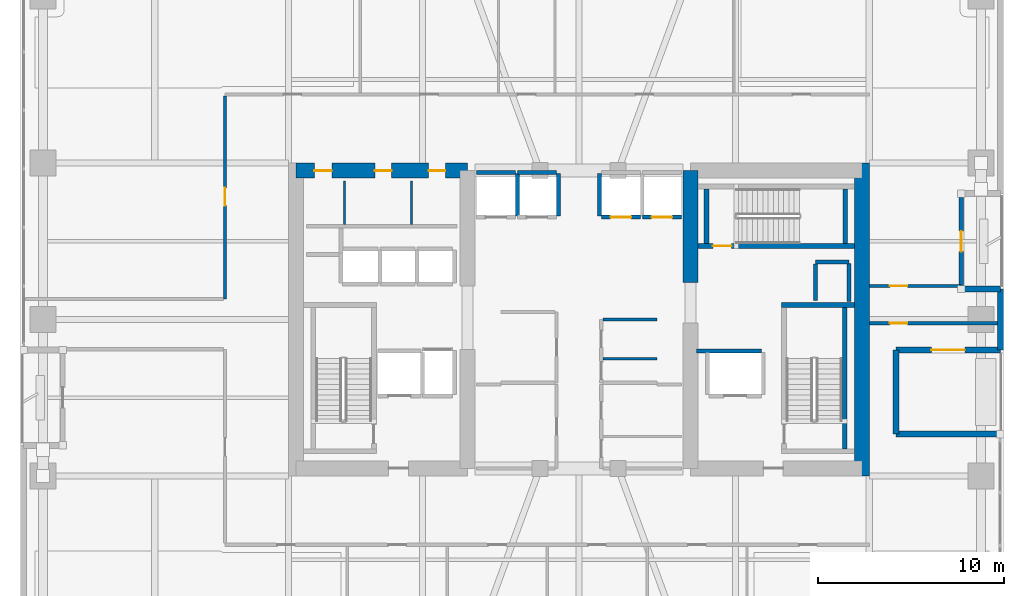
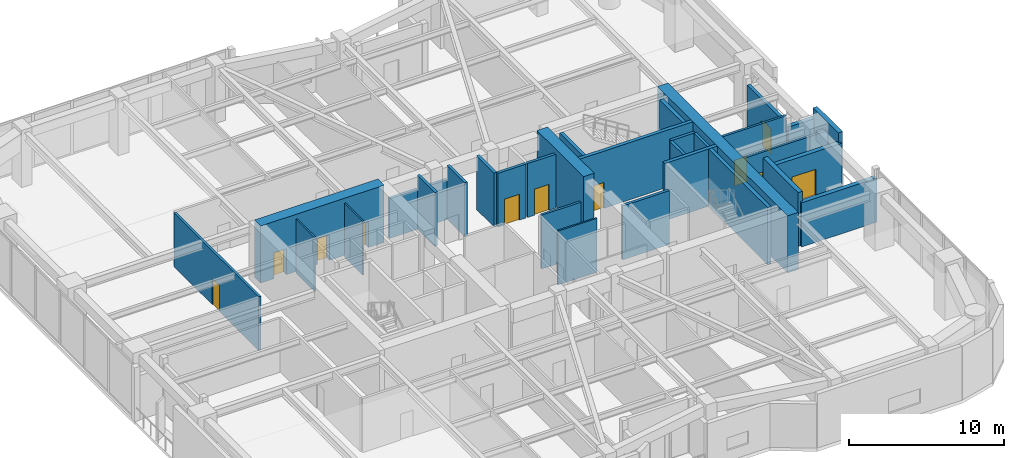
# One storey, part 16 of 20: 32 walls, 11 doors, 11 openings.
"""IFC4 building model written with IfcOpenShell, lengths in metres."""

from ifc_helpers import new_model, si_unit, direction, frame, frame_2d, origin, place, context, subcontext, project, spatial, rectangle, extrude, material, layer, layer_set, type_object, element, fill, save


model = new_model("IFC4")

# Units and contexts
model_context = context("Model", 3, precision=1e-05, world=origin(), true_north=direction((0.0, 1.0)))
body_context = subcontext(model_context, "Body", "Model", "MODEL_VIEW")
ifc_project = project(units=[si_unit("LENGTHUNIT", "METRE"), si_unit("AREAUNIT", "SQUARE_METRE"), si_unit("VOLUMEUNIT", "CUBIC_METRE"), si_unit("PLANEANGLEUNIT", "RADIAN"), si_unit("MASSUNIT", "GRAM", prefix="KILO")], contexts=[model_context])

# Site, building, storey
site_placement = place(None, origin())
site = spatial("IfcSite", under=ifc_project, at=site_placement, CompositionType="ELEMENT")
building_placement = place(site_placement, origin())
building = spatial("IfcBuilding", under=site, at=building_placement, Name="Kiyonajd Concourse Tower", CompositionType="ELEMENT")
storey_placement = place(building_placement, frame((0.0, 0.0, 125.39990234375)))
storey = spatial("IfcBuildingStorey", under=building, at=storey_placement, Name="L32", CompositionType="ELEMENT", Elevation=125.39990234375)

# Wall, openings, doors
ifc_material_1 = material(Name="Concrete C70/85", Category="concrete")
ifc_layer_1 = layer(ifc_material_1, 0.800048828125)
ifc_layer_set_1 = layer_set([ifc_layer_1], Name="Concrete C70/85")
wall_type_1 = type_object("IfcWallType", Name="WL-CORE-800", PredefinedType="SHEAR", material=ifc_layer_set_1)
wall_1_placement = place(storey_placement, frame((32.800048828125, 44.0, 0.0), z_axis=(0.0, 0.0, 1.0), x_axis=(1.0, 0.0, 0.0)))
wall_1 = element("IfcWall", 1, at=wall_1_placement, inside=storey, type_object=wall_type_1, Name="L32 West Core North Shear Wall", PredefinedType="SHEAR", context=body_context, shape_type="SweptSolid", body=[
    extrude(rectangle(XDim=9.199951171875, YDim=0.800048828125, at=frame_2d((4.60009765625, 0.0))), origin(), (0.0, 0.0, 1.0), 4.5),
])
opening_1_placement = place(wall_1_placement, frame((0.97509765625, 0.0, 0.0)))
opening_1 = element("IfcOpeningElement", 2, at=opening_1_placement, cuts=wall_1, Name="Opening DI1", PredefinedType="OPENING", context=body_context, shape_type="SweptSolid", body=[
    extrude(rectangle(XDim=0.949951171875, YDim=2.0400390625, at=frame_2d((0.47509765625, 1.02001953125))), frame((0.0, 0.409912109375, 0.0), z_axis=(0.0, -1.0, 0.0), x_axis=(1.0, 0.0, 0.0)), (0.0, 0.0, 1.0), 0.820068359375),
])
opening_2_placement = place(wall_1_placement, frame((4.22509765625, 0.0, 0.0)))
opening_2 = element("IfcOpeningElement", 3, at=opening_2_placement, cuts=wall_1, Name="Opening DI2", PredefinedType="OPENING", context=body_context, shape_type="SweptSolid", body=[
    extrude(rectangle(XDim=0.89990234375, YDim=2.02001953125, at=frame_2d((0.449951171875, 1.010009765625))), frame((0.0, 0.409912109375, 0.0), z_axis=(0.0, -1.0, 0.0), x_axis=(1.0, 0.0, 0.0)), (0.0, 0.0, 1.0), 0.820068359375),
])
opening_3_placement = place(wall_1_placement, frame((7.125, 0.0, 0.0)))
opening_3 = element("IfcOpeningElement", 4, at=opening_3_placement, cuts=wall_1, Name="Opening DI2", PredefinedType="OPENING", context=body_context, shape_type="SweptSolid", body=[
    extrude(rectangle(XDim=0.89990234375, YDim=2.02001953125, at=frame_2d((0.449951171875, 1.010009765625))), frame((0.0, 0.409912109375, 0.0), z_axis=(0.0, -1.0, 0.0), x_axis=(1.0, 0.0, 0.0)), (0.0, 0.0, 1.0), 0.820068359375),
])
ifc_material_2 = material(Name="Natural Oak Acoustic Timber Veneer", Category="wood")
door_type_1 = type_object("IfcDoorType", Name="DR-INT-900", OperationType="NOTDEFINED", PredefinedType="DOOR", material=ifc_material_2)
door_1_placement = place(opening_2_placement, origin())
door_1 = element("IfcDoor", 5, at=door_1_placement, inside=storey, type_object=door_type_1, Name="L32 Male Restroom Door", OperationType="SINGLE_SWING_RIGHT", OverallHeight=2.02001953125, OverallWidth=0.89990234375, PredefinedType="DOOR", context=body_context, shape_type="SweptSolid", body=[
    extrude(rectangle(XDim=0.89990234375, YDim=2.02001953125, at=frame_2d((0.449951171875, 1.010009765625))), frame((0.0, 0.02490234375, 0.0), z_axis=(0.0, -1.0, 0.0), x_axis=(1.0, 0.0, 0.0)), (0.0, 0.0, 1.0), 0.050048828125),
])
fill(opening_2, door_1)
door_2_placement = place(opening_3_placement, origin())
door_2 = element("IfcDoor", 6, at=door_2_placement, inside=storey, type_object=door_type_1, Name="L32 Female Restroom Door", OperationType="SINGLE_SWING_LEFT", OverallHeight=2.02001953125, OverallWidth=0.89990234375, PredefinedType="DOOR", context=body_context, shape_type="SweptSolid", body=[
    extrude(rectangle(XDim=0.89990234375, YDim=2.02001953125, at=frame_2d((0.449951171875, 1.010009765625))), frame((0.0, 0.02490234375, 0.0), z_axis=(0.0, -1.0, 0.0), x_axis=(1.0, 0.0, 0.0)), (0.0, 0.0, 1.0), 0.050048828125),
])
fill(opening_3, door_2)
door_type_2 = type_object("IfcDoorType", Name="DR-INT-950", OperationType="NOTDEFINED", PredefinedType="DOOR", material=ifc_material_2)
door_3_placement = place(opening_1_placement, origin())
door_3 = element("IfcDoor", 7, at=door_3_placement, inside=storey, type_object=door_type_2, Name="L32 Single User Accessible WC Door", OperationType="SINGLE_SWING_LEFT", OverallHeight=2.0400390625, OverallWidth=0.949951171875, PredefinedType="DOOR", context=body_context, shape_type="SweptSolid", body=[
    extrude(rectangle(XDim=0.949951171875, YDim=2.0400390625, at=frame_2d((0.47509765625, 1.02001953125))), frame((0.0, 0.02490234375, 0.0), z_axis=(0.0, -1.0, 0.0), x_axis=(1.0, 0.0, 0.0)), (0.0, 0.0, 1.0), 0.050048828125),
])
fill(opening_1, door_3)

# Walls
wall_2_placement = place(storey_placement, frame((54.0, 38.0, 0.0), z_axis=(0.0, 0.0, 1.0), x_axis=(0.0, 1.0, 0.0)))
element("IfcWall", 8, at=wall_2_placement, inside=storey, type_object=wall_type_1, Name="L32 East Core Inner North Shear Wall", PredefinedType="SHEAR", context=body_context, shape_type="SweptSolid", body=[
    extrude(rectangle(XDim=6.0, YDim=0.800048828125, at=frame_2d((3.0, 0.0))), origin(), (0.0, 0.0, 1.0), 4.5),
])
wall_3_placement = place(storey_placement, frame((63.199951171875, 27.60009765625, 0.0), z_axis=(0.0, 0.0, 1.0), x_axis=(0.0, 1.0, 0.0)))
element("IfcWall", 9, at=wall_3_placement, inside=storey, type_object=wall_type_1, Name="L32 East Core Outer Shear Wall", PredefinedType="SHEAR", context=body_context, shape_type="SweptSolid", body=[
    extrude(rectangle(XDim=16.7998046875, YDim=0.800048828125, at=frame_2d((8.39990234375, 0.0))), origin(), (0.0, 0.0, 1.0), 4.5),
])
ifc_material_3 = material(Name="Precast concrete C50/60", Category="concrete")
ifc_layer_2 = layer(ifc_material_3, 0.320068359375)
ifc_layer_set_2 = layer_set([ifc_layer_2], Name="Precast concrete C50/60")
wall_type_2 = type_object("IfcWallType", Name="WL-EXT-320", PredefinedType="SOLIDWALL", material=ifc_layer_set_2)
wall_4_placement = place(storey_placement, frame((68.5400390625, 37.639892578125, 0.0), z_axis=(0.0, 0.0, 1.0), x_axis=(1.0, 0.0, 0.0)))
element("IfcWall", 10, at=wall_4_placement, inside=storey, type_object=wall_type_2, Name="L32 Exterior Concrete Frame Wall 22", PredefinedType="SOLIDWALL", context=body_context, shape_type="SweptSolid", body=[
    extrude(rectangle(XDim=2.099853515625, YDim=0.320068359375, at=frame_2d((1.0498046875, 0.0))), origin(), (0.0, 0.0, 1.0), 3.47509765625),
])
wall_5_placement = place(storey_placement, frame((70.639892578125, 37.639892578125, 0.0), z_axis=(0.0, 0.0, 1.0), x_axis=(0.0, -1.0, 0.0)))
element("IfcWall", 11, at=wall_5_placement, inside=storey, type_object=wall_type_2, Name="L32 Exterior Concrete Frame Wall 23", PredefinedType="SOLIDWALL", context=body_context, shape_type="SweptSolid", body=[
    extrude(rectangle(XDim=3.27978515625, YDim=0.320068359375, at=frame_2d((1.639892578125, 0.0))), origin(), (0.0, 0.0, 1.0), 4.239990234375),
])

# Wall, opening, door
wall_6_placement = place(storey_placement, frame((70.639892578125, 34.360107421875, 0.0), z_axis=(0.0, 0.0, 1.0), x_axis=(-1.0, 0.0, 0.0)))
wall_6 = element("IfcWall", 12, at=wall_6_placement, inside=storey, type_object=wall_type_2, Name="L32 Sky Garden Threshold Wall", PredefinedType="SOLIDWALL", context=body_context, shape_type="SweptSolid", body=[
    extrude(rectangle(XDim=5.599853515625, YDim=0.320068359375, at=frame_2d((2.7998046875, 0.0))), origin(), (0.0, 0.0, 1.0), 3.47509765625),
])
opening_4_placement = place(wall_6_placement, frame((1.89990234375, 0.0, 0.0)))
opening_4 = element("IfcOpeningElement", 13, at=opening_4_placement, cuts=wall_6, Name="Opening DSK1", PredefinedType="OPENING", context=body_context, shape_type="SweptSolid", body=[
    extrude(rectangle(XDim=1.800048828125, YDim=2.10009765625, at=frame_2d((0.89990234375, 1.050048828125))), frame((0.0, 0.169921875, 0.0), z_axis=(0.0, -1.0, 0.0), x_axis=(1.0, 0.0, 0.0)), (0.0, 0.0, 1.0), 0.340087890625),
])
ifc_material_4 = material(Name="Thermally Broken Anodised Aluminium", Category="aluminium")
door_type_3 = type_object("IfcDoorType", Name="DR-SKY-1800", OperationType="DOUBLE_DOOR_SINGLE_SWING", PredefinedType="DOOR", material=ifc_material_4)
door_4_placement = place(opening_4_placement, origin())
door_4 = element("IfcDoor", 14, at=door_4_placement, inside=storey, type_object=door_type_3, Name="L32 Sky Garden Terrace Double Door", OperationType="DOUBLE_DOOR_SINGLE_SWING", OverallHeight=2.10009765625, OverallWidth=1.800048828125, PredefinedType="DOOR", context=body_context, shape_type="SweptSolid", body=[
    extrude(rectangle(XDim=1.800048828125, YDim=2.10009765625, at=frame_2d((0.89990234375, 1.050048828125))), frame((0.0, 0.02490234375, 0.0), z_axis=(0.0, -1.0, 0.0), x_axis=(1.0, 0.0, 0.0)), (0.0, 0.0, 1.0), 0.050048828125),
])
fill(opening_4, door_4)

# Walls
wall_7_placement = place(storey_placement, frame((65.0400390625, 34.360107421875, 0.0), z_axis=(0.0, 0.0, 1.0), x_axis=(0.0, -1.0, 0.0)))
element("IfcWall", 15, at=wall_7_placement, inside=storey, type_object=wall_type_2, Name="L32 Sky Garden Threshold Wall", PredefinedType="SOLIDWALL", context=body_context, shape_type="SweptSolid", body=[
    extrude(rectangle(XDim=4.52001953125, YDim=0.320068359375, at=frame_2d((2.260009765625, 0.0))), origin(), (0.0, 0.0, 1.0), 4.239990234375),
])
wall_8_placement = place(storey_placement, frame((65.0400390625, 29.840087890625, 0.0), z_axis=(0.0, 0.0, 1.0), x_axis=(1.0, 0.0, 0.0)))
element("IfcWall", 16, at=wall_8_placement, inside=storey, type_object=wall_type_2, Name="L32 Sky Garden Threshold Wall", PredefinedType="SOLIDWALL", context=body_context, shape_type="SweptSolid", body=[
    extrude(rectangle(XDim=5.599853515625, YDim=0.320068359375, at=frame_2d((2.7998046875, 0.0))), origin(), (0.0, 0.0, 1.0), 3.47509765625),
])

# Wall, opening, door
ifc_layer_3 = layer(ifc_material_3, 0.239990234375)
ifc_layer_set_3 = layer_set([ifc_layer_3], Name="Precast concrete C50/60")
wall_type_3 = type_object("IfcWallType", Name="WL-LOG-240", PredefinedType="SOLIDWALL", material=ifc_layer_set_3)
wall_9_placement = place(storey_placement, frame((68.5400390625, 42.56494140625, 0.0), z_axis=(0.0, 0.0, 1.0), x_axis=(0.0, -1.0, 0.0)))
wall_9 = element("IfcWall", 17, at=wall_9_placement, inside=storey, type_object=wall_type_3, Name="L32 Recessed Loggia Thermal Wall LOG-E", PredefinedType="SOLIDWALL", context=body_context, shape_type="SweptSolid", body=[
    extrude(rectangle(XDim=4.72998046875, YDim=0.239990234375, at=frame_2d((2.364990234375, 0.0))), origin(), (0.0, 0.0, 1.0), 3.76220703125),
])
opening_5_placement = place(wall_9_placement, frame((1.81494140625, 0.0, 0.0)))
opening_5 = element("IfcOpeningElement", 18, at=opening_5_placement, cuts=wall_9, Name="Opening DL2", PredefinedType="OPENING", context=body_context, shape_type="SweptSolid", body=[
    extrude(rectangle(XDim=1.10009765625, YDim=2.0400390625, at=frame_2d((0.550048828125, 1.02001953125))), frame((0.0, 0.1298828125, 0.0), z_axis=(0.0, -1.0, 0.0), x_axis=(1.0, 0.0, 0.0)), (0.0, 0.0, 1.0), 0.260009765625),
])
door_type_4 = type_object("IfcDoorType", Name="DR-LOG-1100", OperationType="NOTDEFINED", PredefinedType="DOOR", material=ifc_material_4)
door_5_placement = place(opening_5_placement, origin())
door_5 = element("IfcDoor", 19, at=door_5_placement, inside=storey, type_object=door_type_4, Name="L32 Engawa Loggia Access Door LOG-E", OperationType="SINGLE_SWING_LEFT", OverallHeight=2.0400390625, OverallWidth=1.10009765625, PredefinedType="DOOR", context=body_context, shape_type="SweptSolid", body=[
    extrude(rectangle(XDim=1.10009765625, YDim=2.0400390625, at=frame_2d((0.550048828125, 1.02001953125))), frame((0.0, 0.02490234375, 0.0), z_axis=(0.0, -1.0, 0.0), x_axis=(1.0, 0.0, 0.0)), (0.0, 0.0, 1.0), 0.050048828125),
])
fill(opening_5, door_5)

# Walls
ifc_material_5 = material(Name="Gypsum Board on Cold-Formed Steel Stud", Category="steel")
ifc_layer_4 = layer(ifc_material_5, 0.125)
ifc_layer_set_4 = layer_set([ifc_layer_4], Name="Gypsum Board on Cold-Formed Steel Stud")
wall_type_4 = type_object("IfcWallType", Name="WL-PART-125", PredefinedType="PARTITIONING", material=ifc_layer_set_4)
for number, where, z_axis, x_axis, name in (
    (20, (35.39990234375, 41.094970703125, 0.0), (0.0, 0.0, 1.0), (0.0, 1.0, 0.0), "L32 Interior Partition Wall"),
    (21, (39.0, 41.094970703125, 0.0), (0.0, 0.0, 1.0), (0.0, 1.0, 0.0), "L32 Interior Partition Wall"),
):
    element("IfcWall", number, at=place(storey_placement, frame(where, z_axis=z_axis, x_axis=x_axis)), inside=storey, type_object=wall_type_4, Name=name, PredefinedType="PARTITIONING", context=body_context, shape_type="SweptSolid", body=[
        extrude(rectangle(XDim=2.35498046875, YDim=0.125, at=frame_2d((1.177490234375, 0.0))), origin(), (0.0, 0.0, 1.0), 4.239990234375),
    ])
wall_10_placement = place(storey_placement, frame((49.287109375, 33.89208984375, 0.0), z_axis=(0.0, 0.0, 1.0), x_axis=(1.0, 0.0, 0.0)))
element("IfcWall", 22, at=wall_10_placement, inside=storey, type_object=wall_type_4, Name="L32 Interior Partition Wall", PredefinedType="PARTITIONING", context=body_context, shape_type="SweptSolid", body=[
    extrude(rectangle(XDim=2.912841796875, YDim=0.125, at=frame_2d((1.45654296875, 0.0))), origin(), (0.0, 0.0, 1.0), 4.239990234375),
])
ifc_layer_5 = layer(ifc_material_5, 0.2099609375)
ifc_layer_set_5 = layer_set([ifc_layer_5], Name="Gypsum Board on Cold-Formed Steel Stud")
wall_type_5 = type_object("IfcWallType", Name="WL-SHAFT-210", PredefinedType="PARTITIONING", material=ifc_layer_set_5)
wall_11_placement = place(storey_placement, frame((60.719970703125, 39.10009765625, 0.0), z_axis=(0.0, 0.0, 1.0), x_axis=(1.0, 0.0, 0.0)))
element("IfcWall", 23, at=wall_11_placement, inside=storey, type_object=wall_type_5, Name="L32 Shaft Enclosure Wall", PredefinedType="PARTITIONING", context=body_context, shape_type="SweptSolid", body=[
    extrude(rectangle(XDim=1.800048828125, YDim=0.2099609375, at=frame_2d((0.89990234375, 0.0))), origin(), (0.0, 0.0, 1.0), 4.239990234375),
])
wall_12_placement = place(storey_placement, frame((60.699951171875, 37.02001953125, 0.0), z_axis=(0.0, 0.0, 1.0), x_axis=(0.0, 1.0, 0.0)))
element("IfcWall", 24, at=wall_12_placement, inside=storey, type_object=wall_type_5, Name="L32 Shaft Enclosure Wall", PredefinedType="PARTITIONING", context=body_context, shape_type="SweptSolid", body=[
    extrude(rectangle(XDim=1.9599609375, YDim=0.2099609375, at=frame_2d((0.97998046875, 0.0))), origin(), (0.0, 0.0, 1.0), 4.239990234375),
])
wall_13_placement = place(storey_placement, frame((62.5, 36.97998046875, 0.0), z_axis=(0.0, 0.0, 1.0), x_axis=(0.0, 1.0, 0.0)))
element("IfcWall", 25, at=wall_13_placement, inside=storey, type_object=wall_type_5, Name="L32 Shaft Enclosure Wall", PredefinedType="PARTITIONING", context=body_context, shape_type="SweptSolid", body=[
    extrude(rectangle(XDim=2.0400390625, YDim=0.2099609375, at=frame_2d((1.02001953125, 0.0))), origin(), (0.0, 0.0, 1.0), 4.239990234375),
])
wall_14_placement = place(storey_placement, frame((54.320068359375, 34.300048828125, 0.0), z_axis=(0.0, 0.0, 1.0), x_axis=(1.0, 0.0, 0.0)))
element("IfcWall", 26, at=wall_14_placement, inside=storey, type_object=wall_type_5, Name="L32 Shaft Enclosure Wall", PredefinedType="PARTITIONING", context=body_context, shape_type="SweptSolid", body=[
    extrude(rectangle(XDim=3.47998046875, YDim=0.2099609375, at=frame_2d((1.739990234375, 0.0))), origin(), (0.0, 0.0, 1.0), 4.239990234375),
])
wall_15_placement = place(storey_placement, frame((42.5, 43.89990234375, 0.0), z_axis=(0.0, 0.0, 1.0), x_axis=(1.0, 0.0, 0.0)))
element("IfcWall", 27, at=wall_15_placement, inside=storey, type_object=wall_type_5, Name="L32 Shaft Enclosure Wall", PredefinedType="PARTITIONING", context=body_context, shape_type="SweptSolid", body=[
    extrude(rectangle(XDim=2.10009765625, YDim=0.2099609375, at=frame_2d((1.050048828125, 0.0))), origin(), (0.0, 0.0, 1.0), 3.125),
])
wall_16_placement = place(storey_placement, frame((44.699951171875, 41.56005859375, 0.0), z_axis=(0.0, 0.0, 1.0), x_axis=(0.0, 1.0, 0.0)))
element("IfcWall", 28, at=wall_16_placement, inside=storey, type_object=wall_type_5, Name="L32 Shaft Enclosure Wall", PredefinedType="PARTITIONING", context=body_context, shape_type="SweptSolid", body=[
    extrude(rectangle(XDim=2.280029296875, YDim=0.2099609375, at=frame_2d((1.14013671875, 0.0))), origin(), (0.0, 0.0, 1.0), 4.239990234375),
])
wall_17_placement = place(storey_placement, frame((44.699951171875, 43.89990234375, 0.0), z_axis=(0.0, 0.0, 1.0), x_axis=(1.0, 0.0, 0.0)))
element("IfcWall", 29, at=wall_17_placement, inside=storey, type_object=wall_type_5, Name="L32 Shaft Enclosure Wall", PredefinedType="PARTITIONING", context=body_context, shape_type="SweptSolid", body=[
    extrude(rectangle(XDim=2.10009765625, YDim=0.2099609375, at=frame_2d((1.050048828125, 0.0))), origin(), (0.0, 0.0, 1.0), 3.125),
])
wall_18_placement = place(storey_placement, frame((46.89990234375, 41.56005859375, 0.0), z_axis=(0.0, 0.0, 1.0), x_axis=(0.0, 1.0, 0.0)))
element("IfcWall", 30, at=wall_18_placement, inside=storey, type_object=wall_type_5, Name="L32 Shaft Enclosure Wall", PredefinedType="PARTITIONING", context=body_context, shape_type="SweptSolid", body=[
    extrude(rectangle(XDim=2.280029296875, YDim=0.2099609375, at=frame_2d((1.14013671875, 0.0))), origin(), (0.0, 0.0, 1.0), 4.239990234375),
])

# Wall, opening, door
wall_19_placement = place(storey_placement, frame((49.199951171875, 41.5, 0.0), z_axis=(0.0, 0.0, 1.0), x_axis=(1.0, 0.0, 0.0)))
wall_19 = element("IfcWall", 31, at=wall_19_placement, inside=storey, type_object=wall_type_5, Name="L32 Shaft Enclosure Wall", PredefinedType="PARTITIONING", context=body_context, shape_type="SweptSolid", body=[
    extrude(rectangle(XDim=2.10009765625, YDim=0.2099609375, at=frame_2d((1.050048828125, 0.0))), origin(), (0.0, 0.0, 1.0), 4.239990234375),
])
opening_6_placement = place(wall_19_placement, frame((0.5, 0.0, 0.0)))
opening_6 = element("IfcOpeningElement", 32, at=opening_6_placement, cuts=wall_19, Name="Opening LD1", PredefinedType="OPENING", context=body_context, shape_type="SweptSolid", body=[
    extrude(rectangle(XDim=1.10009765625, YDim=2.0400390625, at=frame_2d((0.550048828125, 1.02001953125))), frame((0.0, 0.114990234375, 0.0), z_axis=(0.0, -1.0, 0.0), x_axis=(1.0, 0.0, 0.0)), (0.0, 0.0, 1.0), 0.22998046875),
])
ifc_material_6 = material(Name="Brushed Stainless Steel Cab Assembly", Category="steel")
door_type_5 = type_object("IfcDoorType", Name="DR-LD-1100", OperationType="DOUBLE_DOOR_SLIDING", PredefinedType="DOOR", material=ifc_material_6)
door_6_placement = place(opening_6_placement, origin())
door_6 = element("IfcDoor", 33, at=door_6_placement, inside=storey, type_object=door_type_5, Name="L32 Lift PL-M3 Sliding Landing Door", OperationType="DOUBLE_DOOR_SLIDING", OverallHeight=2.0400390625, OverallWidth=1.10009765625, PredefinedType="DOOR", context=body_context, shape_type="SweptSolid", body=[
    extrude(rectangle(XDim=1.10009765625, YDim=2.0400390625, at=frame_2d((0.550048828125, 1.02001953125))), frame((0.0, 0.02490234375, 0.0), z_axis=(0.0, -1.0, 0.0), x_axis=(1.0, 0.0, 0.0)), (0.0, 0.0, 1.0), 0.050048828125),
])
fill(opening_6, door_6)

# Wall
wall_20_placement = place(storey_placement, frame((49.10009765625, 41.56005859375, 0.0), z_axis=(0.0, 0.0, 1.0), x_axis=(0.0, 1.0, 0.0)))
element("IfcWall", 34, at=wall_20_placement, inside=storey, type_object=wall_type_5, Name="L32 Shaft Enclosure Wall", PredefinedType="PARTITIONING", context=body_context, shape_type="SweptSolid", body=[
    extrude(rectangle(XDim=2.280029296875, YDim=0.2099609375, at=frame_2d((1.14013671875, 0.0))), origin(), (0.0, 0.0, 1.0), 4.239990234375),
])

# Wall, opening, door
wall_21_placement = place(storey_placement, frame((51.39990234375, 41.5, 0.0), z_axis=(0.0, 0.0, 1.0), x_axis=(1.0, 0.0, 0.0)))
wall_21 = element("IfcWall", 35, at=wall_21_placement, inside=storey, type_object=wall_type_5, Name="L32 Shaft Enclosure Wall", PredefinedType="PARTITIONING", context=body_context, shape_type="SweptSolid", body=[
    extrude(rectangle(XDim=2.10009765625, YDim=0.2099609375, at=frame_2d((1.050048828125, 0.0))), origin(), (0.0, 0.0, 1.0), 4.239990234375),
])
opening_7_placement = place(wall_21_placement, frame((0.5, 0.0, 0.0)))
opening_7 = element("IfcOpeningElement", 36, at=opening_7_placement, cuts=wall_21, Name="Opening LD1", PredefinedType="OPENING", context=body_context, shape_type="SweptSolid", body=[
    extrude(rectangle(XDim=1.10009765625, YDim=2.0400390625, at=frame_2d((0.550048828125, 1.02001953125))), frame((0.0, 0.114990234375, 0.0), z_axis=(0.0, -1.0, 0.0), x_axis=(1.0, 0.0, 0.0)), (0.0, 0.0, 1.0), 0.22998046875),
])
door_7_placement = place(opening_7_placement, origin())
door_7 = element("IfcDoor", 37, at=door_7_placement, inside=storey, type_object=door_type_5, Name="L32 Lift PL-M4 Sliding Landing Door", OperationType="DOUBLE_DOOR_SLIDING", OverallHeight=2.0400390625, OverallWidth=1.10009765625, PredefinedType="DOOR", context=body_context, shape_type="SweptSolid", body=[
    extrude(rectangle(XDim=1.10009765625, YDim=2.0400390625, at=frame_2d((0.550048828125, 1.02001953125))), frame((0.0, 0.02490234375, 0.0), z_axis=(0.0, -1.0, 0.0), x_axis=(1.0, 0.0, 0.0)), (0.0, 0.0, 1.0), 0.050048828125),
])
fill(opening_7, door_7)

# Wall
ifc_layer_6 = layer(ifc_material_5, 0.169921875)
ifc_layer_set_6 = layer_set([ifc_layer_6], Name="Gypsum Board on Cold-Formed Steel Stud")
wall_type_6 = type_object("IfcWallType", Name="WL-SMK-170", PredefinedType="PARTITIONING", material=ifc_layer_set_6)
wall_22_placement = place(storey_placement, frame((49.287109375, 36.0, 0.0), z_axis=(0.0, 0.0, 1.0), x_axis=(1.0, 0.0, 0.0)))
element("IfcWall", 38, at=wall_22_placement, inside=storey, type_object=wall_type_6, Name="L32 Interior Partition Wall", PredefinedType="PARTITIONING", context=body_context, shape_type="SweptSolid", body=[
    extrude(rectangle(XDim=2.912841796875, YDim=0.169921875, at=frame_2d((1.45654296875, 0.0))), origin(), (0.0, 0.0, 1.0), 4.239990234375),
])

# Wall, opening, door
wall_23_placement = place(storey_placement, frame((28.97509765625, 37.10009765625, 0.0), z_axis=(0.0, 0.0, 1.0), x_axis=(0.0, 1.0, 0.0)))
wall_23 = element("IfcWall", 39, at=wall_23_placement, inside=storey, type_object=wall_type_6, Name="L32 Interior Partition Wall", PredefinedType="PARTITIONING", context=body_context, shape_type="SweptSolid", body=[
    extrude(rectangle(XDim=10.912841796875, YDim=0.169921875, at=frame_2d((5.45654296875, 0.0))), origin(), (0.0, 0.0, 1.0), 4.239990234375),
])
opening_8_placement = place(wall_23_placement, frame((5.02490234375, 0.0, 0.0)))
opening_8 = element("IfcOpeningElement", 40, at=opening_8_placement, cuts=wall_23, Name="Opening DI1", PredefinedType="OPENING", context=body_context, shape_type="SweptSolid", body=[
    extrude(rectangle(XDim=0.949951171875, YDim=2.0400390625, at=frame_2d((0.47509765625, 1.02001953125))), frame((0.0, 0.094970703125, 0.0), z_axis=(0.0, -1.0, 0.0), x_axis=(1.0, 0.0, 0.0)), (0.0, 0.0, 1.0), 0.18994140625),
])
door_8_placement = place(opening_8_placement, origin())
door_8 = element("IfcDoor", 41, at=door_8_placement, inside=storey, type_object=door_type_2, Name="L32 Interior Door", OperationType="SINGLE_SWING_LEFT", OverallHeight=2.0400390625, OverallWidth=0.949951171875, PredefinedType="DOOR", context=body_context, shape_type="SweptSolid", body=[
    extrude(rectangle(XDim=0.949951171875, YDim=2.0400390625, at=frame_2d((0.47509765625, 1.02001953125))), frame((0.0, 0.02490234375, 0.0), z_axis=(0.0, -1.0, 0.0), x_axis=(1.0, 0.0, 0.0)), (0.0, 0.0, 1.0), 0.050048828125),
])
fill(opening_8, door_8)

wall_24_placement = place(storey_placement, frame((63.60009765625, 35.800048828125, 0.0), z_axis=(0.0, 0.0, 1.0), x_axis=(1.0, 0.0, 0.0)))
wall_24 = element("IfcWall", 42, at=wall_24_placement, inside=storey, type_object=wall_type_6, Name="L32 Interior Partition Wall", PredefinedType="PARTITIONING", context=body_context, shape_type="SweptSolid", body=[
    extrude(rectangle(XDim=6.885009765625, YDim=0.169921875, at=frame_2d((3.4423828125, 0.0))), origin(), (0.0, 0.0, 1.0), 3.60302734375),
])
opening_9_placement = place(wall_24_placement, frame((1.10009765625, 0.0, 0.0)))
opening_9 = element("IfcOpeningElement", 43, at=opening_9_placement, cuts=wall_24, Name="Opening DI1", PredefinedType="OPENING", context=body_context, shape_type="SweptSolid", body=[
    extrude(rectangle(XDim=0.949951171875, YDim=2.0400390625, at=frame_2d((0.47509765625, 1.02001953125))), frame((0.0, 0.094970703125, 0.0), z_axis=(0.0, -1.0, 0.0), x_axis=(1.0, 0.0, 0.0)), (0.0, 0.0, 1.0), 0.18994140625),
])
door_9_placement = place(opening_9_placement, origin())
door_9 = element("IfcDoor", 44, at=door_9_placement, inside=storey, type_object=door_type_2, Name="L32 Interior Door", OperationType="SINGLE_SWING_RIGHT", OverallHeight=2.0400390625, OverallWidth=0.949951171875, PredefinedType="DOOR", context=body_context, shape_type="SweptSolid", body=[
    extrude(rectangle(XDim=0.949951171875, YDim=2.0400390625, at=frame_2d((0.47509765625, 1.02001953125))), frame((0.0, 0.02490234375, 0.0), z_axis=(0.0, -1.0, 0.0), x_axis=(1.0, 0.0, 0.0)), (0.0, 0.0, 1.0), 0.050048828125),
])
fill(opening_9, door_9)

wall_25_placement = place(storey_placement, frame((63.60009765625, 37.800048828125, 0.0), z_axis=(0.0, 0.0, 1.0), x_axis=(1.0, 0.0, 0.0)))
wall_25 = element("IfcWall", 45, at=wall_25_placement, inside=storey, type_object=wall_type_6, Name="L32 Interior Partition Wall", PredefinedType="PARTITIONING", context=body_context, shape_type="SweptSolid", body=[
    extrude(rectangle(XDim=4.93994140625, YDim=0.169921875, at=frame_2d((2.469970703125, 0.0))), origin(), (0.0, 0.0, 1.0), 4.239990234375),
])
opening_10_placement = place(wall_25_placement, frame((1.10009765625, 0.0, 0.0)))
opening_10 = element("IfcOpeningElement", 46, at=opening_10_placement, cuts=wall_25, Name="Opening DI1", PredefinedType="OPENING", context=body_context, shape_type="SweptSolid", body=[
    extrude(rectangle(XDim=0.949951171875, YDim=2.0400390625, at=frame_2d((0.47509765625, 1.02001953125))), frame((0.0, 0.094970703125, 0.0), z_axis=(0.0, -1.0, 0.0), x_axis=(1.0, 0.0, 0.0)), (0.0, 0.0, 1.0), 0.18994140625),
])
door_10_placement = place(opening_10_placement, origin())
door_10 = element("IfcDoor", 47, at=door_10_placement, inside=storey, type_object=door_type_2, Name="L32 Interior Door", OperationType="SINGLE_SWING_LEFT", OverallHeight=2.0400390625, OverallWidth=0.949951171875, PredefinedType="DOOR", context=body_context, shape_type="SweptSolid", body=[
    extrude(rectangle(XDim=0.949951171875, YDim=2.0400390625, at=frame_2d((0.47509765625, 1.02001953125))), frame((0.0, 0.02490234375, 0.0), z_axis=(0.0, -1.0, 0.0), x_axis=(1.0, 0.0, 0.0)), (0.0, 0.0, 1.0), 0.050048828125),
])
fill(opening_10, door_10)

# Walls
ifc_material_7 = material(Name="Concrete C50/60", Category="concrete")
ifc_layer_7 = layer(ifc_material_7, 0.260009765625)
ifc_layer_set_7 = layer_set([ifc_layer_7], Name="Concrete C50/60")
wall_type_7 = type_object("IfcWallType", Name="WL-STAIR-260", PredefinedType="SHEAR", material=ifc_layer_set_7)
wall_26_placement = place(storey_placement, frame((58.889892578125, 36.780029296875, 0.0), z_axis=(0.0, 0.0, 1.0), x_axis=(1.0, 0.0, 0.0)))
element("IfcWall", 48, at=wall_26_placement, inside=storey, type_object=wall_type_7, Name="L32 Stair ST2 Structural North Wall", PredefinedType="SHEAR", context=body_context, shape_type="SweptSolid", body=[
    extrude(rectangle(XDim=3.91015625, YDim=0.260009765625, at=frame_2d((1.955078125, 0.0))), origin(), (0.0, 0.0, 1.0), 4.5),
])
wall_27_placement = place(storey_placement, frame((62.280029296875, 29.050048828125, 0.0), z_axis=(0.0, 0.0, 1.0), x_axis=(0.0, 1.0, 0.0)))
element("IfcWall", 49, at=wall_27_placement, inside=storey, type_object=wall_type_7, Name="L32 Stair ST2 Structural East Wall", PredefinedType="SHEAR", context=body_context, shape_type="SweptSolid", body=[
    extrude(rectangle(XDim=7.599853515625, YDim=0.260009765625, at=frame_2d((3.7998046875, 0.0))), origin(), (0.0, 0.0, 1.0), 4.5),
])

# Wall, opening, door
wall_28_placement = place(storey_placement, frame((54.39990234375, 39.949951171875, 0.0), z_axis=(0.0, 0.0, 1.0), x_axis=(1.0, 0.0, 0.0)))
wall_28 = element("IfcWall", 50, at=wall_28_placement, inside=storey, type_object=wall_type_7, Name="L32 Stair ST3 Structural South Wall", PredefinedType="SHEAR", context=body_context, shape_type="SweptSolid", body=[
    extrude(rectangle(XDim=8.400146484375, YDim=0.260009765625, at=frame_2d((4.2001953125, 0.0))), origin(), (0.0, 0.0, 1.0), 4.5),
])
opening_11_placement = place(wall_28_placement, frame((0.800048828125, 0.0, 0.0)))
opening_11 = element("IfcOpeningElement", 51, at=opening_11_placement, cuts=wall_28, Name="Opening DF1", PredefinedType="OPENING", context=body_context, shape_type="SweptSolid", body=[
    extrude(rectangle(XDim=1.0, YDim=2.0400390625, at=frame_2d((0.5, 1.02001953125))), frame((0.0, 0.139892578125, 0.0), z_axis=(0.0, -1.0, 0.0), x_axis=(1.0, 0.0, 0.0)), (0.0, 0.0, 1.0), 0.280029296875),
])
door_type_6 = type_object("IfcDoorType", Name="DR-FD90-1000", OperationType="NOTDEFINED", PredefinedType="DOOR", material=ifc_material_6)
door_11_placement = place(opening_11_placement, origin())
door_11 = element("IfcDoor", 52, at=door_11_placement, inside=storey, type_object=door_type_6, Name="L32 Stair ST3 Enclosure Door", OperationType="SINGLE_SWING_LEFT", OverallHeight=2.0400390625, OverallWidth=1.0, PredefinedType="DOOR", context=body_context, shape_type="SweptSolid", body=[
    extrude(rectangle(XDim=1.0, YDim=2.0400390625, at=frame_2d((0.5, 1.02001953125))), frame((0.0, 0.02490234375, 0.0), z_axis=(0.0, -1.0, 0.0), x_axis=(1.0, 0.0, 0.0)), (0.0, 0.0, 1.0), 0.050048828125),
])
fill(opening_11, door_11)

# Walls
for number, where, z_axis, x_axis, name in (
    (53, (54.85009765625, 40.080078125, 0.0), (0.0, 0.0, 1.0), (0.0, 1.0, 0.0), "L32 Stair ST3 Structural West Wall"),
    (54, (62.31005859375, 40.080078125, 0.0), (0.0, 0.0, 1.0), (0.0, 1.0, 0.0), "L32 Stair ST3 Structural East Wall"),
):
    element("IfcWall", number, at=place(storey_placement, frame(where, z_axis=z_axis, x_axis=x_axis)), inside=storey, type_object=wall_type_7, Name=name, PredefinedType="SHEAR", context=body_context, shape_type="SweptSolid", body=[
        extrude(rectangle(XDim=2.93994140625, YDim=0.260009765625, at=frame_2d((1.469970703125, 0.0))), origin(), (0.0, 0.0, 1.0), 4.5),
    ])

save(model, "model.ifc")
